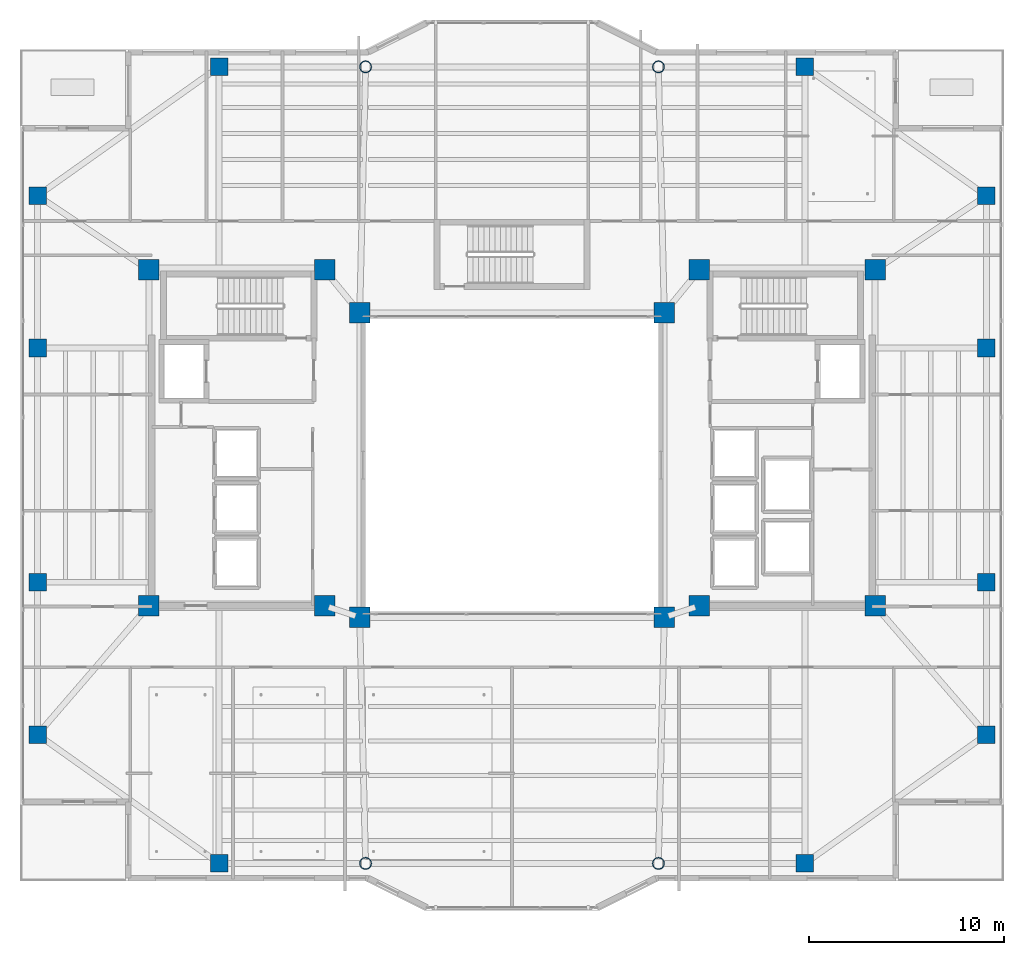
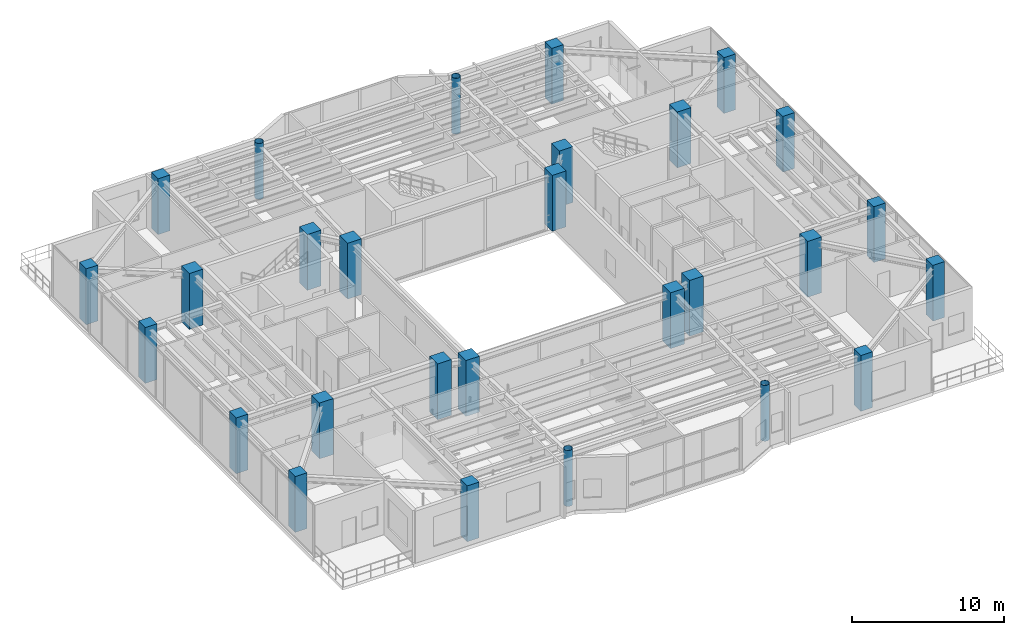
# One storey, part 1 of 33: 28 columns.
"""IFC4 building model written with IfcOpenShell, lengths in metres."""

from ifc_helpers import new_model, si_unit, direction, frame, origin, origin_2d, place, context, subcontext, project, spatial, rectangle, hollow_circle, extrude, material, material_profile, profile_set, type_object, element, save


model = new_model("IFC4")

# Units and contexts
model_context = context("Model", 3, precision=1e-05, world=origin(), true_north=direction((0.0, 1.0)))
body_context = subcontext(model_context, "Body", "Model", "MODEL_VIEW")
ifc_project = project(units=[si_unit("LENGTHUNIT", "METRE"), si_unit("AREAUNIT", "SQUARE_METRE"), si_unit("VOLUMEUNIT", "CUBIC_METRE"), si_unit("PLANEANGLEUNIT", "RADIAN"), si_unit("MASSUNIT", "GRAM", prefix="KILO")], contexts=[model_context])

# Site, building, storey
site_placement = place(None, origin())
site = spatial("IfcSite", under=ifc_project, at=site_placement, CompositionType="ELEMENT")
building_placement = place(site_placement, origin())
building = spatial("IfcBuilding", under=site, at=building_placement, Name="Tarnavaz Court Tower", CompositionType="ELEMENT")
storey_placement = place(building_placement, frame((0.0, 0.0, 177.300048828125)))
storey = spatial("IfcBuildingStorey", under=building, at=storey_placement, Name="L48", CompositionType="ELEMENT", Elevation=177.300048828125)

# Columns
ifc_material_1 = material(Name="Concrete C60/75", Category="concrete")
ifc_material_profile_1 = material_profile(ifc_material_1, rectangle(XDim=1.050048828125, YDim=1.050048828125, at=origin_2d()), Name="RC 1050X1050")
ifc_profile_set_1 = profile_set([ifc_material_profile_1], Name="Concrete C60/75")
column_type_1 = type_object("IfcColumnType", Name="CL-RC1050", PredefinedType="COLUMN", material=ifc_profile_set_1)
for number, where, z_axis, x_axis, name in (
    (1, (-7.800048828125, -7.800048828125, 0.0), (0.0, 0.0, 1.0), (1.0, 0.0, 0.0), "L48 Column IW-SW"),
    (2, (7.800048828125, -7.800048828125, 0.0), (0.0, 0.0, 1.0), (1.0, 0.0, 0.0), "L48 Column IW-SE"),
    (3, (-7.800048828125, 7.800048828125, 0.0), (0.0, 0.0, 1.0), (1.0, 0.0, 0.0), "L48 Column IW-NW"),
    (4, (7.800048828125, 7.800048828125, 0.0), (0.0, 0.0, 1.0), (1.0, 0.0, 0.0), "L48 Column IW-NE"),
    (5, (-9.60009765625, -7.199951171875, 0.0), (0.0, 0.0, 1.0), (1.0, 0.0, 0.0), "L48 Column CW-SI"),
    (6, (-9.60009765625, 10.0, 0.0), (0.0, 0.0, 1.0), (1.0, 0.0, 0.0), "L48 Column CW-NI"),
    (7, (9.60009765625, -7.199951171875, 0.0), (0.0, 0.0, 1.0), (1.0, 0.0, 0.0), "L48 Column CE-SI"),
    (8, (9.60009765625, 10.0, 0.0), (0.0, 0.0, 1.0), (1.0, 0.0, 0.0), "L48 Column CE-NI"),
    (9, (-18.60009765625, -7.199951171875, 0.0), (0.0, 0.0, 1.0), (1.0, 0.0, 0.0), "L48 Column CW-SO"),
    (10, (-18.60009765625, 10.0, 0.0), (0.0, 0.0, 1.0), (1.0, 0.0, 0.0), "L48 Column CW-NO"),
    (11, (18.60009765625, -7.199951171875, 0.0), (0.0, 0.0, 1.0), (1.0, 0.0, 0.0), "L48 Column CE-SO"),
    (12, (18.60009765625, 10.0, 0.0), (0.0, 0.0, 1.0), (1.0, 0.0, 0.0), "L48 Column CE-NO"),
):
    element("IfcColumn", number, at=place(storey_placement, frame(where, z_axis=z_axis, x_axis=x_axis)), inside=storey, type_object=column_type_1, Name=name, PredefinedType="COLUMN", context=body_context, shape_type="SweptSolid", body=[
        extrude(rectangle(XDim=1.050048828125, YDim=1.050048828125, at=origin_2d()), origin(), (0.0, 0.0, 1.0), 4.5),
    ])
ifc_material_2 = material(Name="Concrete C50/60", Category="concrete")
ifc_material_profile_2 = material_profile(ifc_material_2, rectangle(XDim=0.89990234375, YDim=0.89990234375, at=origin_2d()), Name="RC 900X900")
ifc_profile_set_2 = profile_set([ifc_material_profile_2], Name="Concrete C50/60")
column_type_2 = type_object("IfcColumnType", Name="CL-RC900", PredefinedType="COLUMN", material=ifc_profile_set_2)
for number, where, z_axis, x_axis, name in (
    (13, (-15.0, 20.39990234375, 0.0), (0.0, 0.0, 1.0), (1.0, 0.0, 0.0), "L48 Column PN-1"),
    (14, (15.0, 20.39990234375, 0.0), (0.0, 0.0, 1.0), (1.0, 0.0, 0.0), "L48 Column PN-4"),
    (15, (-15.0, -20.39990234375, 0.0), (0.0, 0.0, 1.0), (1.0, 0.0, 0.0), "L48 Column PS-1"),
    (16, (15.0, -20.39990234375, 0.0), (0.0, 0.0, 1.0), (1.0, 0.0, 0.0), "L48 Column PS-4"),
    (17, (24.300048828125, -13.800048828125, 0.0), (0.0, 0.0, 1.0), (1.0, 0.0, 0.0), "L48 Column PE-1"),
    (18, (24.300048828125, -6.0, 0.0), (0.0, 0.0, 1.0), (1.0, 0.0, 0.0), "L48 Column PE-2"),
    (19, (24.300048828125, 6.0, 0.0), (0.0, 0.0, 1.0), (1.0, 0.0, 0.0), "L48 Column PE-3"),
    (20, (24.300048828125, 13.800048828125, 0.0), (0.0, 0.0, 1.0), (1.0, 0.0, 0.0), "L48 Column PE-4"),
    (21, (-24.300048828125, -13.800048828125, 0.0), (0.0, 0.0, 1.0), (1.0, 0.0, 0.0), "L48 Column PW-1"),
    (22, (-24.300048828125, -6.0, 0.0), (0.0, 0.0, 1.0), (1.0, 0.0, 0.0), "L48 Column PW-2"),
    (23, (-24.300048828125, 6.0, 0.0), (0.0, 0.0, 1.0), (1.0, 0.0, 0.0), "L48 Column PW-3"),
    (24, (-24.300048828125, 13.800048828125, 0.0), (0.0, 0.0, 1.0), (1.0, 0.0, 0.0), "L48 Column PW-4"),
):
    element("IfcColumn", number, at=place(storey_placement, frame(where, z_axis=z_axis, x_axis=x_axis)), inside=storey, type_object=column_type_2, Name=name, PredefinedType="COLUMN", context=body_context, shape_type="SweptSolid", body=[
        extrude(rectangle(XDim=0.89990234375, YDim=0.89990234375, at=origin_2d()), origin(), (0.0, 0.0, 1.0), 4.5),
    ])
ifc_material_3 = material(Name="Steel S460", Category="steel")
ifc_material_profile_3 = material_profile(ifc_material_3, hollow_circle(Radius=0.304931640625, WallThickness=0.02490234375, at=origin_2d()), Name="CHS 610X25")
ifc_profile_set_3 = profile_set([ifc_material_profile_3], Name="Steel S460")
column_type_3 = type_object("IfcColumnType", Name="CL-S460-CHS610", PredefinedType="COLUMN", material=ifc_profile_set_3)
for number, where, z_axis, x_axis, name in (
    (25, (-7.5, 20.39990234375, 0.0), (0.0, 0.0, 1.0), (1.0, 0.0, 0.0), "L48 Column PN-2"),
    (26, (7.5, 20.39990234375, 0.0), (0.0, 0.0, 1.0), (1.0, 0.0, 0.0), "L48 Column PN-3"),
    (27, (-7.5, -20.39990234375, 0.0), (0.0, 0.0, 1.0), (1.0, 0.0, 0.0), "L48 Column PS-2"),
    (28, (7.5, -20.39990234375, 0.0), (0.0, 0.0, 1.0), (1.0, 0.0, 0.0), "L48 Column PS-3"),
):
    element("IfcColumn", number, at=place(storey_placement, frame(where, z_axis=z_axis, x_axis=x_axis)), inside=storey, type_object=column_type_3, Name=name, PredefinedType="COLUMN", context=body_context, shape_type="SweptSolid", body=[
        extrude(hollow_circle(Radius=0.304931640625, WallThickness=0.02490234375, at=origin_2d()), origin(), (0.0, 0.0, 1.0), 4.5),
    ])

save(model, "model.ifc")
